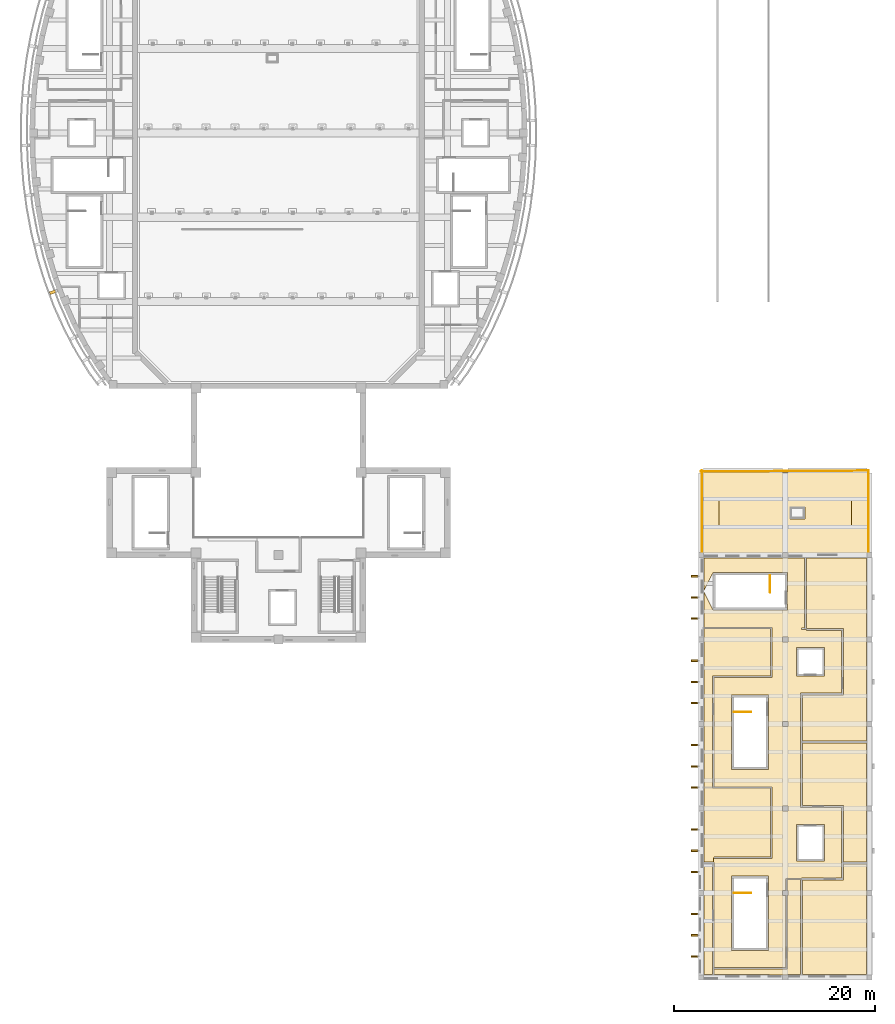
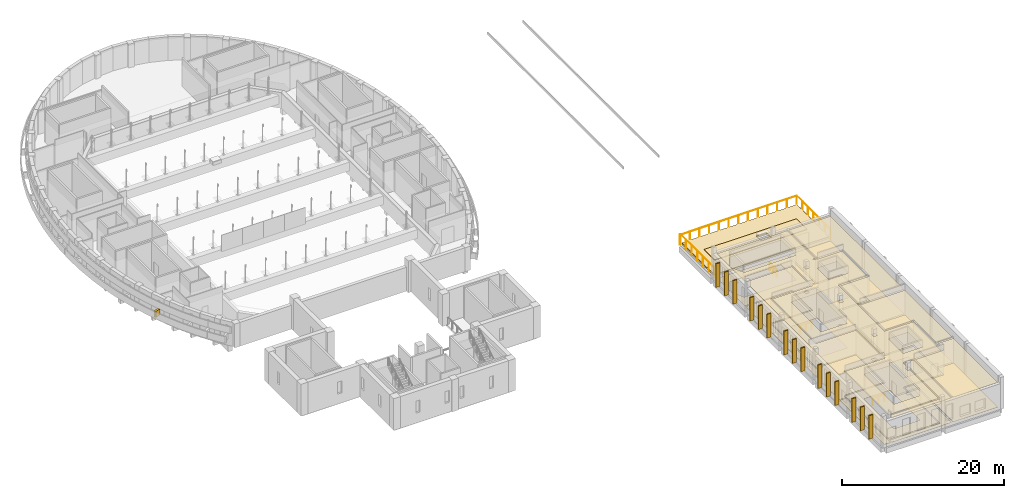
# One storey, part 44 of 47: 31 coverings, 5 railings.
"""IFC4 building model written with IfcOpenShell, lengths in metres."""

from ifc_helpers import new_model, si_unit, direction, frame, origin, origin_2d, place, context, subcontext, project, spatial, polyline, rectangle, circle, outline, extrude, material, layer, layer_set, type_object, element, save


model = new_model("IFC4")

# Units and contexts
model_context = context("Model", 3, precision=1e-05, world=origin(), true_north=direction((0.0, 1.0)))
body_context = subcontext(model_context, "Body", "Model", "MODEL_VIEW")
ifc_project = project(units=[si_unit("LENGTHUNIT", "METRE"), si_unit("AREAUNIT", "SQUARE_METRE"), si_unit("VOLUMEUNIT", "CUBIC_METRE"), si_unit("PLANEANGLEUNIT", "RADIAN"), si_unit("MASSUNIT", "GRAM", prefix="KILO")], contexts=[model_context])

# Site, building, storey
site_placement = place(None, origin())
site = spatial("IfcSite", under=ifc_project, at=site_placement, CompositionType="ELEMENT")
building_placement = place(site_placement, origin())
building = spatial("IfcBuilding", under=site, at=building_placement, Name="Larchfold Concert Hall", CompositionType="ELEMENT")
storey_placement = place(building_placement, frame((0.0, 0.0, 24.0)))
storey = spatial("IfcBuildingStorey", under=building, at=storey_placement, Name="L05", CompositionType="ELEMENT", Elevation=24.0)

# Coverings
ifc_material_1 = material(Name="Mineral fibre ceiling tile")
ifc_layer_1 = layer(ifc_material_1, 0.02001953125)
ifc_layer_set_1 = layer_set([ifc_layer_1], Name="Mineral fibre ceiling tile")
covering_type_1 = type_object("IfcCoveringType", Name="Ceiling mineral fibre tile 20", PredefinedType="CEILING", material=ifc_layer_set_1)
covering_1_placement = place(storey_placement, frame((0.0, 0.0, 3.719970703125)))
element("IfcCovering", 1, at=covering_1_placement, inside=storey, type_object=covering_type_1, Name="Ceiling Corridor 05", PredefinedType="CEILING", context=body_context, shape_type="SweptSolid", body=[
    extrude(outline(polyline([(85.7822265625, 37.2080078125), (84.900146484375, 38.959716796875), (84.900146484375, 35.41357421875), (91.66357421875, 35.41259765625), (91.66357421875, 30.4365234375), (85.91357421875, 30.4365234375), (85.91357421875, 19.5634765625), (91.66357421875, 19.5634765625), (91.66259765625, 12.4375), (85.91357421875, 12.4365234375), (85.91357421875, 12.4990234375), (85.850830078125, 12.4990234375), (85.850830078125, 12.074951171875), (85.925048828125, 12.074951171875), (85.925048828125, 1.5009765625), (85.927001953125, 1.58349609375), (93.0576171875, 1.58251953125), (93.0576171875, 8.72998046875), (93.1494140625, 8.72998046875), (93.1494140625, 8.75), (92.75, 8.75), (92.75, 9.25), (93.1494140625, 9.25), (93.1494140625, 9.27001953125), (93.0576171875, 9.27001953125), (93.0576171875, 10.406005859375), (93.1826171875, 10.406005859375), (93.18408203125, 10.400390625), (93.18408203125, 10.46240234375), (94.60009765625, 10.46240234375), (94.60009765625, 10.5), (98.599853515625, 10.5), (98.598876953125, 17.4990234375), (94.4990234375, 17.5), (94.4990234375, 28.901123046875), (98.598876953125, 28.901123046875), (98.598876953125, 35.09912109375), (95.09912109375, 35.099853515625), (95.09912109375, 35.19970703125), (94.59912109375, 35.19970703125), (94.599609375, 35.350830078125), (94.89892578125, 35.350830078125), (94.89990234375, 42.300048828125), (84.900146484375, 42.300048828125), (84.900146484375, 39.040283203125), (85.7822265625, 40.7919921875), (85.800048828125, 40.802978515625), (85.800048828125, 40.85009765625), (93.199951171875, 40.85009765625), (93.199951171875, 37.14990234375), (85.800048828125, 37.14990234375), (85.800048828125, 37.197021484375), (85.7822265625, 37.2080078125)]), holes=[polyline([(94.10009765625, 12.199951171875), (94.10009765625, 15.800048828125), (96.89990234375, 15.800048828125), (96.89990234375, 12.199951171875), (94.10009765625, 12.199951171875)]), polyline([(94.10009765625, 30.60009765625), (94.10009765625, 33.39990234375), (96.89990234375, 33.39990234375), (96.89990234375, 30.60009765625), (94.10009765625, 30.60009765625)]), polyline([(92.75, 25.550048828125), (92.75, 26.050048828125), (93.25, 26.050048828125), (93.25, 25.550048828125), (92.75, 25.550048828125)]), polyline([(92.75, 33.949951171875), (92.75, 34.449951171875), (93.25, 34.449951171875), (93.25, 33.949951171875), (92.75, 33.949951171875)]), polyline([(93.25, 17.14990234375), (92.75, 17.14990234375), (92.75, 17.64990234375), (93.25, 17.64990234375), (93.25, 17.14990234375)]), polyline([(91.35009765625, 3.300048828125), (87.64990234375, 3.300048828125), (87.64990234375, 10.699951171875), (91.35009765625, 10.699951171875), (91.35009765625, 3.300048828125)]), polyline([(91.35009765625, 21.300048828125), (87.64990234375, 21.300048828125), (87.64990234375, 28.699951171875), (91.35009765625, 28.699951171875), (91.35009765625, 21.300048828125)])]), origin(), (0.0, 0.0, 1.0), 0.02001953125),
])
ifc_material_2 = material(Name="Plasterboard ceiling lining")
ifc_layer_2 = layer(ifc_material_2, 0.030029296875)
ifc_layer_set_2 = layer_set([ifc_layer_2], Name="Plasterboard ceiling lining")
covering_type_2 = type_object("IfcCoveringType", Name="Ceiling suspended plasterboard 30", PredefinedType="CEILING", material=ifc_layer_set_2)
covering_2_placement = place(storey_placement, frame((0.0, 0.0, 3.7099609375)))
element("IfcCovering", 2, at=covering_2_placement, inside=storey, type_object=covering_type_2, Name="Ceiling Artists' Quiet Room", PredefinedType="CEILING", context=body_context, shape_type="SweptSolid", body=[
    extrude(outline(polyline([(85.925048828125, 1.520751953125), (85.925048828125, 0.89990234375), (85.828857421875, 0.89990234375), (85.8291015625, 0.87890625), (93.149658203125, 0.8701171875), (93.1796875, 0.900146484375), (94.5, 0.900146484375), (94.5, 10.300048828125), (94.60009765625, 10.300048828125), (94.60009765625, 10.33740234375), (93.18408203125, 10.33740234375), (93.1826171875, 10.39990234375), (93.1826171875, 9.27001953125), (93.119873046875, 9.27001953125), (93.119873046875, 9.25), (93.25, 9.25), (93.25, 8.75), (93.119873046875, 8.75), (93.119873046875, 8.72998046875), (93.1826171875, 8.72998046875), (93.1826171875, 1.45751953125), (85.927001953125, 1.45849609375), (85.925048828125, 1.520751953125)])), origin(), (0.0, 0.0, 1.0), 0.030029296875),
])
covering_3_placement = place(storey_placement, frame((0.0, 0.0, 3.7099609375)))
element("IfcCovering", 3, at=covering_3_placement, inside=storey, type_object=covering_type_2, Name="Ceiling Warm-up Room 01", PredefinedType="CEILING", context=body_context, shape_type="SweptSolid", body=[
    extrude(outline(polyline([(94.7001953125, 0.900146484375), (101.099853515625, 0.900146484375), (101.099853515625, 11.89990234375), (98.800048828125, 11.89990234375), (98.800048828125, 10.2998046875), (94.7001953125, 10.2998046875), (94.7001953125, 0.900146484375)])), origin(), (0.0, 0.0, 1.0), 0.030029296875),
])
covering_4_placement = place(storey_placement, frame((0.0, 0.0, 3.7099609375)))
element("IfcCovering", 4, at=covering_4_placement, inside=storey, type_object=covering_type_2, Name="Ceiling Orchestra Office 01", PredefinedType="CEILING", context=body_context, shape_type="SweptSolid", body=[
    extrude(outline(polyline([(91.53759765625, 12.5), (91.53857421875, 19.4384765625), (85.78857421875, 19.4384765625), (85.78857421875, 30.5615234375), (91.53857421875, 30.5615234375), (91.53857421875, 35.28759765625), (84.900146484375, 35.28857421875), (84.900146484375, 12.074951171875), (85.849853515625, 12.074951171875), (85.849853515625, 12.5), (85.91357421875, 12.5), (85.91357421875, 12.5615234375), (91.53759765625, 12.5625), (91.53759765625, 12.5)])), origin(), (0.0, 0.0, 1.0), 0.030029296875),
])
covering_5_placement = place(storey_placement, frame((0.0, 0.0, 3.7099609375)))
element("IfcCovering", 5, at=covering_5_placement, inside=storey, type_object=covering_type_2, Name="Ceiling Warm-up Room 02", PredefinedType="CEILING", context=body_context, shape_type="SweptSolid", body=[
    extrude(outline(polyline([(94.699951171875, 23.89990234375), (94.69921875, 24.0), (94.69921875, 17.7001953125), (98.799072265625, 17.698974609375), (98.799072265625, 12.10009765625), (101.099853515625, 12.10009765625), (101.099853515625, 23.89990234375), (94.699951171875, 23.89990234375)])), origin(), (0.0, 0.0, 1.0), 0.030029296875),
])
covering_6_placement = place(storey_placement, frame((0.0, 0.0, 3.7099609375)))
element("IfcCovering", 6, at=covering_6_placement, inside=storey, type_object=covering_type_2, Name="Ceiling Practice Room 01", PredefinedType="CEILING", context=body_context, shape_type="SweptSolid", body=[
    extrude(outline(polyline([(95.09912109375, 35.300048828125), (98.799072265625, 35.299072265625), (98.799072265625, 28.700927734375), (94.69921875, 28.700927734375), (94.69921875, 24.0), (94.699951171875, 24.10009765625), (101.099853515625, 24.10009765625), (101.099853515625, 42.300048828125), (95.10009765625, 42.300048828125), (95.09912109375, 35.300048828125)])), origin(), (0.0, 0.0, 1.0), 0.030029296875),
])
ifc_material_3 = material(Name="Sealed cement screed")
ifc_layer_3 = layer(ifc_material_3, 0.050048828125)
ifc_layer_set_3 = layer_set([ifc_layer_3], Name="Sealed cement screed")
covering_type_3 = type_object("IfcCoveringType", Name="Floor finish sealed screed 50", PredefinedType="FLOORING", material=ifc_layer_set_3)
covering_7_placement = place(storey_placement, origin())
element("IfcCovering", 7, at=covering_7_placement, inside=storey, type_object=covering_type_3, Name="Floor finish Plant Room", PredefinedType="FLOORING", context=body_context, shape_type="SweptSolid", body=[
    extrude(outline(polyline([(84.900146484375, 11.925048828125), (84.900146484375, 0.900146484375), (85.775146484375, 0.900146484375), (85.775146484375, 11.925048828125), (84.900146484375, 11.925048828125)])), origin(), (0.0, 0.0, 1.0), 0.050048828125),
])
ifc_material_4 = material(Name="Linoleum sheet")
ifc_layer_4 = layer(ifc_material_4, 0.02001953125)
ifc_layer_set_4 = layer_set([ifc_layer_4], Name="Linoleum sheet")
covering_type_4 = type_object("IfcCoveringType", Name="Floor finish vinyl 20", PredefinedType="FLOORING", material=ifc_layer_set_4)
covering_8_placement = place(storey_placement, origin())
element("IfcCovering", 8, at=covering_8_placement, inside=storey, type_object=covering_type_4, Name="Floor finish Artists' Quiet Room", PredefinedType="FLOORING", context=body_context, shape_type="SweptSolid", body=[
    extrude(outline(polyline([(85.925048828125, 1.520751953125), (85.925048828125, 0.89990234375), (85.828857421875, 0.89990234375), (85.8291015625, 0.87890625), (93.149658203125, 0.8701171875), (93.1796875, 0.900146484375), (94.5, 0.900146484375), (94.5, 10.300048828125), (94.60009765625, 10.300048828125), (94.60009765625, 10.33740234375), (93.18408203125, 10.33740234375), (93.1826171875, 10.39990234375), (93.1826171875, 9.27001953125), (93.119873046875, 9.27001953125), (93.119873046875, 9.25), (93.25, 9.25), (93.25, 8.75), (93.119873046875, 8.75), (93.119873046875, 8.72998046875), (93.1826171875, 8.72998046875), (93.1826171875, 1.45751953125), (85.927001953125, 1.45849609375), (85.925048828125, 1.520751953125)])), origin(), (0.0, 0.0, 1.0), 0.02001953125),
])
covering_9_placement = place(storey_placement, origin())
element("IfcCovering", 9, at=covering_9_placement, inside=storey, type_object=covering_type_4, Name="Floor finish Warm-up Room 01", PredefinedType="FLOORING", context=body_context, shape_type="SweptSolid", body=[
    extrude(outline(polyline([(94.7001953125, 0.900146484375), (101.099853515625, 0.900146484375), (101.099853515625, 11.89990234375), (98.800048828125, 11.89990234375), (98.800048828125, 10.2998046875), (94.7001953125, 10.2998046875), (94.7001953125, 0.900146484375)])), origin(), (0.0, 0.0, 1.0), 0.02001953125),
])
covering_10_placement = place(storey_placement, origin())
element("IfcCovering", 10, at=covering_10_placement, inside=storey, type_object=covering_type_4, Name="Floor finish Corridor 05", PredefinedType="FLOORING", context=body_context, shape_type="SweptSolid", body=[
    extrude(outline(polyline([(85.7822265625, 37.2080078125), (84.900146484375, 38.959716796875), (84.900146484375, 35.41357421875), (91.66357421875, 35.41259765625), (91.66357421875, 30.4365234375), (85.91357421875, 30.4365234375), (85.91357421875, 19.5634765625), (91.66357421875, 19.5634765625), (91.66259765625, 12.4375), (85.91357421875, 12.4365234375), (85.91357421875, 12.4990234375), (85.850830078125, 12.4990234375), (85.850830078125, 12.074951171875), (85.925048828125, 12.074951171875), (85.925048828125, 1.5009765625), (85.927001953125, 1.58349609375), (93.0576171875, 1.58251953125), (93.0576171875, 8.72998046875), (93.1494140625, 8.72998046875), (93.1494140625, 8.75), (92.75, 8.75), (92.75, 9.25), (93.1494140625, 9.25), (93.1494140625, 9.27001953125), (93.0576171875, 9.27001953125), (93.0576171875, 10.406005859375), (93.1826171875, 10.406005859375), (93.18408203125, 10.400390625), (93.18408203125, 10.46240234375), (94.60009765625, 10.46240234375), (94.60009765625, 10.5), (98.599853515625, 10.5), (98.598876953125, 17.4990234375), (94.4990234375, 17.5), (94.4990234375, 28.901123046875), (98.598876953125, 28.901123046875), (98.598876953125, 35.09912109375), (95.09912109375, 35.099853515625), (95.09912109375, 35.19970703125), (94.59912109375, 35.19970703125), (94.599609375, 35.350830078125), (94.89892578125, 35.350830078125), (94.89990234375, 42.300048828125), (84.900146484375, 42.300048828125), (84.900146484375, 39.040283203125), (85.7822265625, 40.7919921875), (85.800048828125, 40.802978515625), (85.800048828125, 40.85009765625), (93.199951171875, 40.85009765625), (93.199951171875, 37.14990234375), (85.800048828125, 37.14990234375), (85.800048828125, 37.197021484375), (85.7822265625, 37.2080078125)]), holes=[polyline([(94.10009765625, 12.199951171875), (94.10009765625, 15.800048828125), (96.89990234375, 15.800048828125), (96.89990234375, 12.199951171875), (94.10009765625, 12.199951171875)]), polyline([(94.10009765625, 30.60009765625), (94.10009765625, 33.39990234375), (96.89990234375, 33.39990234375), (96.89990234375, 30.60009765625), (94.10009765625, 30.60009765625)]), polyline([(92.75, 25.550048828125), (92.75, 26.050048828125), (93.25, 26.050048828125), (93.25, 25.550048828125), (92.75, 25.550048828125)]), polyline([(92.75, 33.949951171875), (92.75, 34.449951171875), (93.25, 34.449951171875), (93.25, 33.949951171875), (92.75, 33.949951171875)]), polyline([(93.25, 17.14990234375), (92.75, 17.14990234375), (92.75, 17.64990234375), (93.25, 17.64990234375), (93.25, 17.14990234375)]), polyline([(91.35009765625, 3.300048828125), (87.64990234375, 3.300048828125), (87.64990234375, 10.699951171875), (91.35009765625, 10.699951171875), (91.35009765625, 3.300048828125)]), polyline([(91.35009765625, 21.300048828125), (87.64990234375, 21.300048828125), (87.64990234375, 28.699951171875), (91.35009765625, 28.699951171875), (91.35009765625, 21.300048828125)])]), origin(), (0.0, 0.0, 1.0), 0.02001953125),
])
covering_11_placement = place(storey_placement, origin())
element("IfcCovering", 11, at=covering_11_placement, inside=storey, type_object=covering_type_4, Name="Floor finish Orchestra Office 01", PredefinedType="FLOORING", context=body_context, shape_type="SweptSolid", body=[
    extrude(outline(polyline([(91.53759765625, 12.5), (91.53857421875, 19.4384765625), (85.78857421875, 19.4384765625), (85.78857421875, 30.5615234375), (91.53857421875, 30.5615234375), (91.53857421875, 35.28759765625), (84.900146484375, 35.28857421875), (84.900146484375, 12.074951171875), (85.849853515625, 12.074951171875), (85.849853515625, 12.5), (85.91357421875, 12.5), (85.91357421875, 12.5615234375), (91.53759765625, 12.5625), (91.53759765625, 12.5)])), origin(), (0.0, 0.0, 1.0), 0.02001953125),
])
covering_12_placement = place(storey_placement, origin())
element("IfcCovering", 12, at=covering_12_placement, inside=storey, type_object=covering_type_4, Name="Floor finish Warm-up Room 02", PredefinedType="FLOORING", context=body_context, shape_type="SweptSolid", body=[
    extrude(outline(polyline([(94.699951171875, 23.89990234375), (94.69921875, 24.0), (94.69921875, 17.7001953125), (98.799072265625, 17.698974609375), (98.799072265625, 12.10009765625), (101.099853515625, 12.10009765625), (101.099853515625, 23.89990234375), (94.699951171875, 23.89990234375)])), origin(), (0.0, 0.0, 1.0), 0.02001953125),
])
covering_13_placement = place(storey_placement, origin())
element("IfcCovering", 13, at=covering_13_placement, inside=storey, type_object=covering_type_4, Name="Floor finish Practice Room 01", PredefinedType="FLOORING", context=body_context, shape_type="SweptSolid", body=[
    extrude(outline(polyline([(95.09912109375, 35.300048828125), (98.799072265625, 35.299072265625), (98.799072265625, 28.700927734375), (94.69921875, 28.700927734375), (94.69921875, 24.0), (94.699951171875, 24.10009765625), (101.099853515625, 24.10009765625), (101.099853515625, 42.300048828125), (95.10009765625, 42.300048828125), (95.09912109375, 35.300048828125)])), origin(), (0.0, 0.0, 1.0), 0.02001953125),
])
ifc_material_5 = material(Name="Glulam GL30c", Category="wood")
ifc_layer_5 = layer(ifc_material_5, 0.159912109375)
ifc_layer_set_5 = layer_set([ifc_layer_5], Name="Glulam GL30c")
covering_type_5 = type_object("IfcCoveringType", Name="Glulam fin 160x600", PredefinedType="CLADDING", material=ifc_layer_set_5)
covering_14_placement = place(storey_placement, frame((0.0, 0.0, 0.199951171875)))
element("IfcCovering", 14, at=covering_14_placement, inside=storey, type_object=covering_type_5, Name="Glulam fin FN-L05-001", PredefinedType="CLADDING", context=body_context, shape_type="SweptSolid", body=[
    extrude(outline(polyline([(84.275146484375, 36.219970703125), (84.275146484375, 36.3798828125), (83.675048828125, 36.3798828125), (83.675048828125, 36.219970703125), (84.275146484375, 36.219970703125)])), origin(), (0.0, 0.0, 1.0), 3.56005859375),
])
covering_15_placement = place(storey_placement, frame((0.0, 0.0, 0.199951171875)))
element("IfcCovering", 15, at=covering_15_placement, inside=storey, type_object=covering_type_5, Name="Glulam fin FN-L05-002", PredefinedType="CLADDING", context=body_context, shape_type="SweptSolid", body=[
    extrude(outline(polyline([(84.275146484375, 38.320068359375), (84.275146484375, 38.47998046875), (83.675048828125, 38.47998046875), (83.675048828125, 38.320068359375), (84.275146484375, 38.320068359375)])), origin(), (0.0, 0.0, 1.0), 3.56005859375),
])
covering_16_placement = place(storey_placement, frame((0.0, 0.0, 0.199951171875)))
element("IfcCovering", 16, at=covering_16_placement, inside=storey, type_object=covering_type_5, Name="Glulam fin FN-L05-003", PredefinedType="CLADDING", context=body_context, shape_type="SweptSolid", body=[
    extrude(outline(polyline([(84.275146484375, 40.419921875), (84.275146484375, 40.580078125), (83.675048828125, 40.580078125), (83.675048828125, 40.419921875), (84.275146484375, 40.419921875)])), origin(), (0.0, 0.0, 1.0), 3.56005859375),
])
covering_17_placement = place(storey_placement, frame((0.0, 0.0, 0.199951171875)))
element("IfcCovering", 17, at=covering_17_placement, inside=storey, type_object=covering_type_5, Name="Glulam fin FN-L05-004", PredefinedType="CLADDING", context=body_context, shape_type="SweptSolid", body=[
    extrude(outline(polyline([(84.275146484375, 27.820068359375), (84.275146484375, 27.97998046875), (83.675048828125, 27.97998046875), (83.675048828125, 27.820068359375), (84.275146484375, 27.820068359375)])), origin(), (0.0, 0.0, 1.0), 3.56005859375),
])
covering_18_placement = place(storey_placement, frame((0.0, 0.0, 0.199951171875)))
element("IfcCovering", 18, at=covering_18_placement, inside=storey, type_object=covering_type_5, Name="Glulam fin FN-L05-005", PredefinedType="CLADDING", context=body_context, shape_type="SweptSolid", body=[
    extrude(outline(polyline([(84.275146484375, 29.919921875), (84.275146484375, 30.080078125), (83.675048828125, 30.080078125), (83.675048828125, 29.919921875), (84.275146484375, 29.919921875)])), origin(), (0.0, 0.0, 1.0), 3.56005859375),
])
covering_19_placement = place(storey_placement, frame((0.0, 0.0, 0.199951171875)))
element("IfcCovering", 19, at=covering_19_placement, inside=storey, type_object=covering_type_5, Name="Glulam fin FN-L05-006", PredefinedType="CLADDING", context=body_context, shape_type="SweptSolid", body=[
    extrude(outline(polyline([(84.275146484375, 32.02001953125), (84.275146484375, 32.179931640625), (83.675048828125, 32.179931640625), (83.675048828125, 32.02001953125), (84.275146484375, 32.02001953125)])), origin(), (0.0, 0.0, 1.0), 3.56005859375),
])
covering_20_placement = place(storey_placement, frame((0.0, 0.0, 0.199951171875)))
element("IfcCovering", 20, at=covering_20_placement, inside=storey, type_object=covering_type_5, Name="Glulam fin FN-L05-007", PredefinedType="CLADDING", context=body_context, shape_type="SweptSolid", body=[
    extrude(outline(polyline([(84.275146484375, 19.419921875), (84.275146484375, 19.580078125), (83.675048828125, 19.580078125), (83.675048828125, 19.419921875), (84.275146484375, 19.419921875)])), origin(), (0.0, 0.0, 1.0), 3.56005859375),
])
covering_21_placement = place(storey_placement, frame((0.0, 0.0, 0.199951171875)))
element("IfcCovering", 21, at=covering_21_placement, inside=storey, type_object=covering_type_5, Name="Glulam fin FN-L05-008", PredefinedType="CLADDING", context=body_context, shape_type="SweptSolid", body=[
    extrude(outline(polyline([(84.275146484375, 21.52001953125), (84.275146484375, 21.679931640625), (83.675048828125, 21.679931640625), (83.675048828125, 21.52001953125), (84.275146484375, 21.52001953125)])), origin(), (0.0, 0.0, 1.0), 3.56005859375),
])
covering_22_placement = place(storey_placement, frame((0.0, 0.0, 0.199951171875)))
element("IfcCovering", 22, at=covering_22_placement, inside=storey, type_object=covering_type_5, Name="Glulam fin FN-L05-009", PredefinedType="CLADDING", context=body_context, shape_type="SweptSolid", body=[
    extrude(outline(polyline([(84.275146484375, 23.6201171875), (84.275146484375, 23.780029296875), (83.675048828125, 23.780029296875), (83.675048828125, 23.6201171875), (84.275146484375, 23.6201171875)])), origin(), (0.0, 0.0, 1.0), 3.56005859375),
])
covering_23_placement = place(storey_placement, frame((0.0, 0.0, 0.199951171875)))
element("IfcCovering", 23, at=covering_23_placement, inside=storey, type_object=covering_type_5, Name="Glulam fin FN-L05-010", PredefinedType="CLADDING", context=body_context, shape_type="SweptSolid", body=[
    extrude(outline(polyline([(84.275146484375, 11.02001953125), (84.275146484375, 11.179931640625), (83.675048828125, 11.179931640625), (83.675048828125, 11.02001953125), (84.275146484375, 11.02001953125)])), origin(), (0.0, 0.0, 1.0), 3.56005859375),
])
covering_24_placement = place(storey_placement, frame((0.0, 0.0, 0.199951171875)))
element("IfcCovering", 24, at=covering_24_placement, inside=storey, type_object=covering_type_5, Name="Glulam fin FN-L05-011", PredefinedType="CLADDING", context=body_context, shape_type="SweptSolid", body=[
    extrude(outline(polyline([(84.275146484375, 13.1201171875), (84.275146484375, 13.280029296875), (83.675048828125, 13.280029296875), (83.675048828125, 13.1201171875), (84.275146484375, 13.1201171875)])), origin(), (0.0, 0.0, 1.0), 3.56005859375),
])
covering_25_placement = place(storey_placement, frame((0.0, 0.0, 0.199951171875)))
element("IfcCovering", 25, at=covering_25_placement, inside=storey, type_object=covering_type_5, Name="Glulam fin FN-L05-012", PredefinedType="CLADDING", context=body_context, shape_type="SweptSolid", body=[
    extrude(outline(polyline([(84.275146484375, 15.219970703125), (84.275146484375, 15.3798828125), (83.675048828125, 15.3798828125), (83.675048828125, 15.219970703125), (84.275146484375, 15.219970703125)])), origin(), (0.0, 0.0, 1.0), 3.56005859375),
])
covering_26_placement = place(storey_placement, frame((0.0, 0.0, 0.199951171875)))
element("IfcCovering", 26, at=covering_26_placement, inside=storey, type_object=covering_type_5, Name="Glulam fin FN-L05-013", PredefinedType="CLADDING", context=body_context, shape_type="SweptSolid", body=[
    extrude(outline(polyline([(84.275146484375, 2.6201171875), (84.275146484375, 2.780029296875), (83.675048828125, 2.780029296875), (83.675048828125, 2.6201171875), (84.275146484375, 2.6201171875)])), origin(), (0.0, 0.0, 1.0), 3.56005859375),
])
covering_27_placement = place(storey_placement, frame((0.0, 0.0, 0.199951171875)))
element("IfcCovering", 27, at=covering_27_placement, inside=storey, type_object=covering_type_5, Name="Glulam fin FN-L05-014", PredefinedType="CLADDING", context=body_context, shape_type="SweptSolid", body=[
    extrude(outline(polyline([(84.275146484375, 4.719970703125), (84.275146484375, 4.8798828125), (83.675048828125, 4.8798828125), (83.675048828125, 4.719970703125), (84.275146484375, 4.719970703125)])), origin(), (0.0, 0.0, 1.0), 3.56005859375),
])
covering_28_placement = place(storey_placement, frame((0.0, 0.0, 0.199951171875)))
element("IfcCovering", 28, at=covering_28_placement, inside=storey, type_object=covering_type_5, Name="Glulam fin FN-L05-015", PredefinedType="CLADDING", context=body_context, shape_type="SweptSolid", body=[
    extrude(outline(polyline([(84.275146484375, 6.820068359375), (84.275146484375, 6.97998046875), (83.675048828125, 6.97998046875), (83.675048828125, 6.820068359375), (84.275146484375, 6.820068359375)])), origin(), (0.0, 0.0, 1.0), 3.56005859375),
])
ifc_material_6 = material(Name="Planting soil and drainage layer on membrane")
ifc_layer_6 = layer(ifc_material_6, 0.300048828125)
ifc_layer_set_6 = layer_set([ifc_layer_6], Name="Planting soil and drainage layer on membrane")
covering_type_6 = type_object("IfcCoveringType", Name="Planted roof build-up 300", PredefinedType="ROOFING", material=ifc_layer_set_6)
covering_29_placement = place(storey_placement, origin())
element("IfcCovering", 29, at=covering_29_placement, inside=storey, type_object=covering_type_6, Name="Roof covering RC005", PredefinedType="ROOFING", context=body_context, shape_type="SweptSolid", body=[
    extrude(outline(polyline([(84.800048828125, 42.81005859375), (101.199951171875, 42.81005859375), (101.199951171875, 50.800048828125), (84.800048828125, 50.800048828125), (84.800048828125, 42.81005859375)]), holes=[polyline([(94.9501953125, 47.41015625), (93.4501953125, 47.41015625), (93.4501953125, 46.2099609375), (94.9501953125, 46.2099609375), (94.9501953125, 47.41015625)])]), origin(), (0.0, 0.0, 1.0), 0.300048828125),
])
ifc_material_7 = material(Name="Galvanised steel bracket", Category="steel")
ifc_layer_7 = layer(ifc_material_7, 0.300048828125)
ifc_layer_set_7 = layer_set([ifc_layer_7], Name="Galvanised steel bracket")
covering_type_7 = type_object("IfcCoveringType", Name="Ring support bracket", PredefinedType="CLADDING", material=ifc_layer_set_7)
covering_30_placement = place(storey_placement, frame((20.23974609375, 68.779541015625, 0.949951171875), z_axis=(0.0, 0.0, 1.0), x_axis=(-0.937177411386, -0.348853120364, 0.0)))
element("IfcCovering", 30, at=covering_30_placement, inside=storey, type_object=covering_type_7, Name="Ring bracket BR-R12-23", PredefinedType="CLADDING", context=body_context, shape_type="SweptSolid", body=[
    extrude(rectangle(XDim=0.800048828125, YDim=0.300048828125, at=origin_2d()), origin(), (0.0, 0.0, 1.0), 0.89990234375),
])

# Railings
ifc_material_8 = material(Name="Graphite painted steel guard", Category="steel")
railing_type_1 = type_object("IfcRailingType", Name="Roof garden guard 1500", PredefinedType="GUARDRAIL", material=ifc_material_8)
railing_1_placement = place(storey_placement, frame((84.7001953125, 51.0, 0.0)))
element("IfcRailing", 31, at=railing_1_placement, inside=storey, type_object=railing_type_1, Name="Roof guard GR0009", PredefinedType="GUARDRAIL", context=body_context, shape_type="SweptSolid", body=[
    extrude(circle(Radius=0.02392578125, at=origin_2d()), frame((0.0, 0.0, 1.47607421875), z_axis=(0.0, -1.0, 0.0), x_axis=(1.0, 0.0, 0.0)), (0.0, 0.0, 1.0), 8.389892578125),
    extrude(circle(Radius=0.02099609375, at=origin_2d()), origin(), (0.0, 0.0, 1.0), 1.451904296875),
    extrude(circle(Radius=0.02099609375, at=origin_2d()), frame((0.0, -1.3984375, 0.0)), (0.0, 0.0, 1.0), 1.451904296875),
    extrude(circle(Radius=0.02099609375, at=origin_2d()), frame((0.0, -2.796630859375, 0.0)), (0.0, 0.0, 1.0), 1.451904296875),
    extrude(circle(Radius=0.02099609375, at=origin_2d()), frame((0.0, -4.19482421875, 0.0)), (0.0, 0.0, 1.0), 1.451904296875),
    extrude(circle(Radius=0.02099609375, at=origin_2d()), frame((0.0, -5.59326171875, 0.0)), (0.0, 0.0, 1.0), 1.451904296875),
    extrude(circle(Radius=0.02099609375, at=origin_2d()), frame((0.0, -6.99169921875, 0.0)), (0.0, 0.0, 1.0), 1.451904296875),
    extrude(circle(Radius=0.02099609375, at=origin_2d()), frame((0.0, -8.389892578125, 0.0)), (0.0, 0.0, 1.0), 1.451904296875),
])
railing_2_placement = place(storey_placement, frame((101.2998046875, 42.610107421875, 0.0)))
element("IfcRailing", 32, at=railing_2_placement, inside=storey, type_object=railing_type_1, Name="Roof guard GR0010", PredefinedType="GUARDRAIL", context=body_context, shape_type="SweptSolid", body=[
    extrude(circle(Radius=0.02392578125, at=origin_2d()), frame((0.0, 0.0, 1.47607421875), z_axis=(0.0, 1.0, 0.0), x_axis=(-1.0, 0.0, 0.0)), (0.0, 0.0, 1.0), 8.389892578125),
    extrude(circle(Radius=0.02392578125, at=origin_2d()), frame((0.0, 8.389892578125, 1.47607421875), z_axis=(-0.999982036605, -0.005993869112, 0.0), x_axis=(0.005993869112, -0.999982036605, 0.0)), (0.0, 0.0, 1.0), 16.699951171875),
    extrude(circle(Radius=0.02099609375, at=origin_2d()), origin(), (0.0, 0.0, 1.0), 1.451904296875),
    extrude(circle(Radius=0.02099609375, at=origin_2d()), frame((0.0, 1.3984375, 0.0)), (0.0, 0.0, 1.0), 1.451904296875),
    extrude(circle(Radius=0.02099609375, at=origin_2d()), frame((0.0, 2.796630859375, 0.0)), (0.0, 0.0, 1.0), 1.451904296875),
    extrude(circle(Radius=0.02099609375, at=origin_2d()), frame((0.0, 4.19482421875, 0.0)), (0.0, 0.0, 1.0), 1.451904296875),
    extrude(circle(Radius=0.02099609375, at=origin_2d()), frame((0.0, 5.59326171875, 0.0)), (0.0, 0.0, 1.0), 1.451904296875),
    extrude(circle(Radius=0.02099609375, at=origin_2d()), frame((0.0, 6.99169921875, 0.0)), (0.0, 0.0, 1.0), 1.451904296875),
    extrude(circle(Radius=0.02099609375, at=origin_2d()), frame((0.0, 8.389892578125, 0.0)), (0.0, 0.0, 1.0), 1.451904296875),
    extrude(circle(Radius=0.02099609375, at=origin_2d()), frame((-1.3916015625, 8.381591796875, 0.0)), (0.0, 0.0, 1.0), 1.451904296875),
    extrude(circle(Radius=0.02099609375, at=origin_2d()), frame((-2.783203125, 8.373291015625, 0.0)), (0.0, 0.0, 1.0), 1.451904296875),
    extrude(circle(Radius=0.02099609375, at=origin_2d()), frame((-4.1748046875, 8.36474609375, 0.0)), (0.0, 0.0, 1.0), 1.451904296875),
    extrude(circle(Radius=0.02099609375, at=origin_2d()), frame((-5.566650390625, 8.3564453125, 0.0)), (0.0, 0.0, 1.0), 1.451904296875),
    extrude(circle(Radius=0.02099609375, at=origin_2d()), frame((-6.958251953125, 8.34814453125, 0.0)), (0.0, 0.0, 1.0), 1.451904296875),
    extrude(circle(Radius=0.02099609375, at=origin_2d()), frame((-8.349853515625, 8.33984375, 0.0)), (0.0, 0.0, 1.0), 1.451904296875),
    extrude(circle(Radius=0.02099609375, at=origin_2d()), frame((-9.741455078125, 8.33154296875, 0.0)), (0.0, 0.0, 1.0), 1.451904296875),
    extrude(circle(Radius=0.02099609375, at=origin_2d()), frame((-11.133056640625, 8.3232421875, 0.0)), (0.0, 0.0, 1.0), 1.451904296875),
    extrude(circle(Radius=0.02099609375, at=origin_2d()), frame((-12.52490234375, 8.31494140625, 0.0)), (0.0, 0.0, 1.0), 1.451904296875),
    extrude(circle(Radius=0.02099609375, at=origin_2d()), frame((-13.91650390625, 8.306396484375, 0.0)), (0.0, 0.0, 1.0), 1.451904296875),
    extrude(circle(Radius=0.02099609375, at=origin_2d()), frame((-15.30810546875, 8.298095703125, 0.0)), (0.0, 0.0, 1.0), 1.451904296875),
    extrude(circle(Radius=0.02099609375, at=origin_2d()), frame((-16.69970703125, 8.289794921875, 0.0)), (0.0, 0.0, 1.0), 1.451904296875),
])

# Covering
ifc_material_9 = material(Name="Concrete paving slab on pedestals", Category="concrete")
ifc_layer_8 = layer(ifc_material_9, 0.0400390625)
ifc_layer_set_8 = layer_set([ifc_layer_8], Name="Concrete paving slab on pedestals")
covering_type_8 = type_object("IfcCoveringType", Name="Roof terrace paving 40", PredefinedType="FLOORING", material=ifc_layer_set_8)
covering_31_placement = place(storey_placement, frame((0.0, 0.0, 0.300048828125)))
element("IfcCovering", 33, at=covering_31_placement, inside=storey, type_object=covering_type_8, Name="Roof paving PV04", PredefinedType="FLOORING", context=body_context, shape_type="SweptSolid", body=[
    extrude(outline(polyline([(99.599853515625, 48.10498046875), (86.400146484375, 48.10498046875), (86.400146484375, 45.505126953125), (99.599853515625, 45.505126953125), (99.599853515625, 48.10498046875)]), holes=[polyline([(94.9501953125, 47.41015625), (93.4501953125, 47.41015625), (93.4501953125, 46.2099609375), (94.9501953125, 46.2099609375), (94.9501953125, 47.41015625)])]), origin(), (0.0, 0.0, 1.0), 0.0400390625),
])

# Railings
ifc_material_10 = material(Name="Stainless steel balustrade", Category="steel")
railing_type_2 = type_object("IfcRailingType", Name="Stair guard 1100", PredefinedType="GUARDRAIL", material=ifc_material_10)
for number, where, name in (
    (34, (87.89990234375, 9.0, 0.0), "Guard GR0021"),
    (35, (87.89990234375, 27.0, 0.0), "Guard GR0022"),
):
    element("IfcRailing", number, at=place(storey_placement, frame(where)), inside=storey, type_object=railing_type_2, Name=name, PredefinedType="GUARDRAIL", context=body_context, shape_type="SweptSolid", body=[
        extrude(circle(Radius=0.02392578125, at=origin_2d()), frame((0.0, 0.0, 1.076171875), z_axis=(1.0, 0.0, 0.0), x_axis=(0.0, 1.0, 0.0)), (0.0, 0.0, 1.0), 1.699951171875),
        extrude(circle(Radius=0.02099609375, at=origin_2d()), origin(), (0.0, 0.0, 1.0), 1.052001953125),
        extrude(circle(Radius=0.02099609375, at=origin_2d()), frame((0.85009765625, 0.0, 0.0)), (0.0, 0.0, 1.0), 1.052001953125),
        extrude(circle(Radius=0.02099609375, at=origin_2d()), frame((1.699951171875, 0.0, 0.0)), (0.0, 0.0, 1.0), 1.052001953125),
    ])
railing_3_placement = place(storey_placement, frame((91.5, 40.60009765625, 0.0)))
element("IfcRailing", 36, at=railing_3_placement, inside=storey, type_object=railing_type_2, Name="Guard GR0023", PredefinedType="GUARDRAIL", context=body_context, shape_type="SweptSolid", body=[
    extrude(circle(Radius=0.02392578125, at=origin_2d()), frame((0.0, 0.0, 1.076171875), z_axis=(0.0, -1.0, 0.0), x_axis=(1.0, 0.0, 0.0)), (0.0, 0.0, 1.0), 1.699951171875),
    extrude(circle(Radius=0.02099609375, at=origin_2d()), origin(), (0.0, 0.0, 1.0), 1.052001953125),
    extrude(circle(Radius=0.02099609375, at=origin_2d()), frame((0.0, -0.85009765625, 0.0)), (0.0, 0.0, 1.0), 1.052001953125),
    extrude(circle(Radius=0.02099609375, at=origin_2d()), frame((0.0, -1.699951171875, 0.0)), (0.0, 0.0, 1.0), 1.052001953125),
])

save(model, "model.ifc")
